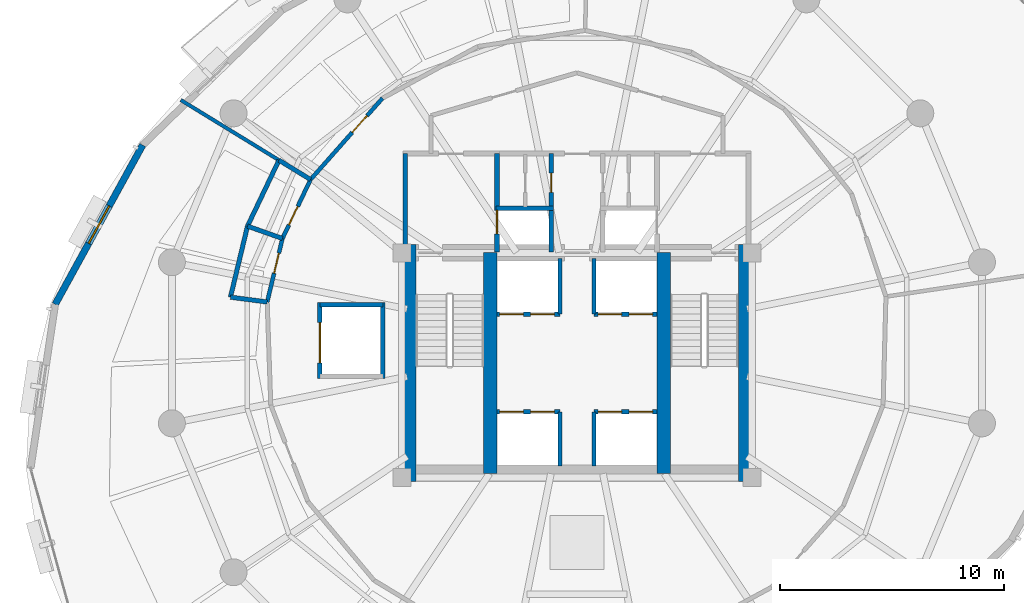
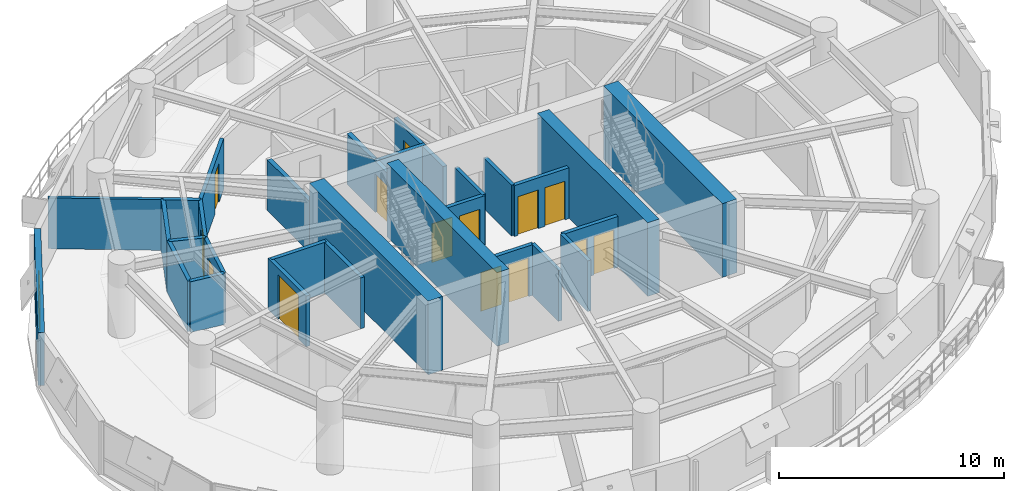
# One storey, part 8 of 12: 29 walls, 14 doors, 1 window, 15 openings.
"""IFC4 building model written with IfcOpenShell, lengths in metres."""

import ifcopenshell
import ifcopenshell.guid

model = None  # the IFC model being written
_history = None  # IfcOwnerHistory: only IFC2X3 demands one
_inside = {}  # id of a spatial element -> (the spatial element, [elements in it])
_under = {}  # id of a project, library or spatial element -> (it, [spatial elements below it])
_declared = {}  # id of a project -> (the project, [libraries it declares])
_typed = {}  # id of a type object -> (the type object, [elements of that type])
_made_of = {}  # id of a material, layer set ... -> (it, [elements and type objects made of it])


def new_model(schema):
    """Start an empty IFC model of exactly this schema.

    Asked for "IFC4X3", IfcOpenShell would pick the latest addendum, in which some entities
    have other attributes; the version numbers below select the first issue.
    IFC2X3 requires an IfcOwnerHistory on every rooted entity: one is made here for all.
    """
    global model, _history
    if schema == "IFC4X3":
        model = ifcopenshell.file(schema_version=(4, 3, 0, 0))
    else:
        model = ifcopenshell.file(schema=schema)
    _inside.clear()
    _under.clear()
    _declared.clear()
    _typed.clear()
    _made_of.clear()
    _history = None
    if model.schema == "IFC2X3":
        org = make("IfcOrganization", Name="unknown")
        user = make(
            "IfcPersonAndOrganization",
            ThePerson=make("IfcPerson", FamilyName="unknown"),
            TheOrganization=org,
        )
        app = make(
            "IfcApplication",
            ApplicationDeveloper=org,
            Version="unknown",
            ApplicationFullName="unknown",
            ApplicationIdentifier="unknown",
        )
        _history = make(
            "IfcOwnerHistory",
            OwningUser=user,
            OwningApplication=app,
            ChangeAction="ADDED",
            CreationDate=0,
        )
    return model


def make(cls, **values):
    """One entity of the class cls with the attributes given. An attribute that is None is left unset."""
    return model.create_entity(
        cls, **{name: value for name, value in values.items() if value is not None}
    )


def rooted(cls, **values):
    """An entity with a GlobalId (a new one), such as an element, a storey or a relation."""
    return make(cls, GlobalId=ifcopenshell.guid.new(), OwnerHistory=_history, **values)


def si_unit(unit_type, name, prefix=None):
    """IfcSIUnit, for example si_unit("LENGTHUNIT", "METRE", prefix="MILLI")."""
    return make("IfcSIUnit", UnitType=unit_type, Prefix=prefix, Name=name)


def assignment(units):
    """IfcUnitAssignment: the units of a project."""
    return None if units is None else make("IfcUnitAssignment", Units=units)


def point(xyz):
    """IfcCartesianPoint."""
    return None if xyz is None else make("IfcCartesianPoint", Coordinates=xyz)


def direction(xyz):
    """IfcDirection."""
    return None if xyz is None else make("IfcDirection", DirectionRatios=xyz)


def frame(location, z_axis=None, x_axis=None):
    """IfcAxis2Placement3D, a coordinate frame: its origin and axes. An axis left out is left unset."""
    return make(
        "IfcAxis2Placement3D",
        Location=point(location),
        Axis=direction(z_axis),
        RefDirection=direction(x_axis),
    )


def frame_2d(location, x_axis=None):
    """IfcAxis2Placement2D, a coordinate frame in the plane: its origin and x axis."""
    return make(
        "IfcAxis2Placement2D", Location=point(location), RefDirection=direction(x_axis)
    )


def origin():
    """The frame at (0, 0, 0) with its axes left unset."""
    return frame((0.0, 0.0, 0.0))


def place(relative_to, where):
    """IfcLocalPlacement: puts the frame where relative to a parent placement (None: the world)."""
    return make(
        "IfcLocalPlacement", PlacementRelTo=relative_to, RelativePlacement=where
    )


def context(
    kind, dimensions, precision=None, world=None, true_north=None, identifier=None
):
    """IfcGeometricRepresentationContext, for example the 3D "Model" context."""
    return make(
        "IfcGeometricRepresentationContext",
        ContextIdentifier=identifier,
        ContextType=kind,
        CoordinateSpaceDimension=dimensions,
        Precision=precision,
        WorldCoordinateSystem=world,
        TrueNorth=true_north,
    )


def subcontext(parent, identifier, kind, view, scale=None):
    """IfcGeometricRepresentationSubContext, for example "Body" below "Model"."""
    return make(
        "IfcGeometricRepresentationSubContext",
        ContextIdentifier=identifier,
        ContextType=kind,
        ParentContext=parent,
        TargetScale=scale,
        TargetView=view,
    )


def project(units=None, contexts=None):
    """IfcProject with its units and contexts."""
    return rooted(
        "IfcProject",
        Name="project",
        RepresentationContexts=contexts,
        UnitsInContext=assignment(units),
    )


def spatial(cls, under=None, at=None, **own):
    """A site, building, storey or space (cls), placed at a placement, below another one or the project."""
    s = rooted(cls, ObjectPlacement=at, **own)
    if under is not None:
        _under.setdefault(under.id(), (under, []))[1].append(s)
    return s


def profile(cls, at=None, kind="AREA", **sizes):
    """A parametric profile (cls). Its sizes go by their IFC names, for example OverallWidth=200.0."""
    return make(cls, ProfileType=kind, Position=at, **sizes)


def rectangle(**sizes):
    """IfcRectangleProfileDef."""
    return profile("IfcRectangleProfileDef", **sizes)


def extrude(swept, where, along, depth):
    """IfcExtrudedAreaSolid: the profile swept, set in the frame where, extruded along a direction by depth."""
    return make(
        "IfcExtrudedAreaSolid",
        SweptArea=swept,
        Position=where,
        ExtrudedDirection=direction(along),
        Depth=depth,
    )


def shape(context_of_items, identifier, shape_type, items):
    """IfcShapeRepresentation: the items that make up one representation, for example the "Body"."""
    return make(
        "IfcShapeRepresentation",
        ContextOfItems=context_of_items,
        RepresentationIdentifier=identifier,
        RepresentationType=shape_type,
        Items=items,
    )


def material(Name=None, Category=None):
    """IfcMaterial."""
    return make("IfcMaterial", Name=Name, Category=Category)


def layer(
    of_material, thickness, ventilated=None, Name=None, Category=None, Priority=None
):
    """IfcMaterialLayer: one layer of a wall or slab, of a material (None: an air gap)."""
    return make(
        "IfcMaterialLayer",
        Material=of_material,
        LayerThickness=thickness,
        IsVentilated=ventilated,
        Name=Name,
        Category=Category,
        Priority=Priority,
    )


def layer_set(layers, Name=None):
    """IfcMaterialLayerSet."""
    return make("IfcMaterialLayerSet", MaterialLayers=layers, LayerSetName=Name)


def made_of(thing, what):
    """Note that an element or type object is made of a material, layer set ...; save() writes the relation."""
    if what is not None:
        _made_of.setdefault(what.id(), (what, []))[1].append(thing)
    return thing


def type_object(cls, material=None, **own):
    """A type object (cls), such as IfcWallType, which elements share."""
    return made_of(rooted(cls, **own), material)


def element(
    cls,
    number,
    at=None,
    inside=None,
    cuts=None,
    type_object=None,
    material=None,
    context=None,
    identifier="Body",
    shape_type=None,
    held_by="IfcProductDefinitionShape",
    body=None,
    shapes=None,
    **own,
):
    """One element of the class cls, such as IfcWall. Its Tag is "e" and its number.

    at: its placement. inside: the storey or other place that contains it. cuts: it is an
    opening in that element (IfcRelVoidsElement). A single representation is given by context,
    identifier, shape_type and body (its items); several are given by shapes. held_by: the class
    of the entity that holds the representations. save() writes the other relations.
    """
    e = rooted(cls, Tag="e%d" % number, ObjectPlacement=at, **own)
    if body is not None:
        shapes = [shape(context, identifier, shape_type, body)]
    if shapes is not None:
        e.Representation = make(held_by, Representations=shapes)
    if inside is not None:
        _inside.setdefault(inside.id(), (inside, []))[1].append(e)
    if cuts is not None:
        rooted(
            "IfcRelVoidsElement", RelatingBuildingElement=cuts, RelatedOpeningElement=e
        )
    if type_object is not None:
        _typed.setdefault(type_object.id(), (type_object, []))[1].append(e)
    return made_of(e, material)


def fill(opening, filler):
    """IfcRelFillsElement: the door or window that sits in an opening."""
    return rooted(
        "IfcRelFillsElement",
        RelatingOpeningElement=opening,
        RelatedBuildingElement=filler,
    )


def aggregate(whole, parts):
    """IfcRelAggregates: a whole, such as a stair, and the parts it consists of."""
    return rooted("IfcRelAggregates", RelatingObject=whole, RelatedObjects=parts)


def save(model, path):
    """Write the relations noted so far, then the file.

    IfcRelAggregates (storeys below a building ...), IfcRelContainedInSpatialStructure (elements
    in a storey), IfcRelDefinesByType, IfcRelAssociatesMaterial and IfcRelDeclares: one each for
    every whole, place, type object, material and project.
    """
    for whole, parts in _under.values():
        aggregate(whole, parts)
    for where, things in _inside.values():
        rooted(
            "IfcRelContainedInSpatialStructure",
            RelatedElements=things,
            RelatingStructure=where,
        )
    for kind, things in _typed.values():
        rooted("IfcRelDefinesByType", RelatedObjects=things, RelatingType=kind)
    for what, things in _made_of.values():
        rooted("IfcRelAssociatesMaterial", RelatedObjects=things, RelatingMaterial=what)
    for by, libraries in _declared.values():
        rooted("IfcRelDeclares", RelatingContext=by, RelatedDefinitions=libraries)
    model.write(path)


model = new_model("IFC4")

# Units and contexts
model_context = context("Model", 3, precision=1e-05, world=origin(), true_north=direction((0.0, 1.0)))
body_context = subcontext(model_context, "Body", "Model", "MODEL_VIEW")
ifc_project = project(units=[si_unit("LENGTHUNIT", "METRE"), si_unit("AREAUNIT", "SQUARE_METRE"), si_unit("VOLUMEUNIT", "CUBIC_METRE"), si_unit("PLANEANGLEUNIT", "RADIAN"), si_unit("MASSUNIT", "GRAM", prefix="KILO"), si_unit("THERMODYNAMICTEMPERATUREUNIT", "KELVIN"), si_unit("POWERUNIT", "WATT")], contexts=[model_context])

# Site, building, storey
site_placement = place(None, origin())
site = spatial("IfcSite", under=ifc_project, at=site_placement, CompositionType="ELEMENT")
building_placement = place(site_placement, origin())
building = spatial("IfcBuilding", under=site, at=building_placement, Name="Ocrelia Relay Tower", CompositionType="ELEMENT")
storey_placement = place(building_placement, frame((0.0, 0.0, 153.800048828125)))
storey = spatial("IfcBuildingStorey", under=building, at=storey_placement, Name="L36", CompositionType="ELEMENT", Elevation=153.800048828125)

# Walls
ifc_material_1 = material(Name="Concrete C60/75", Category="concrete")
ifc_layer_1 = layer(ifc_material_1, 0.75, Name="Concrete C60/75")
ifc_layer_set_1 = layer_set([ifc_layer_1], Name="Concrete C60/75")
wall_type_1 = type_object("IfcWallType", Name="CW-CORE-750", PredefinedType="SHEAR", material=ifc_layer_set_1)
for number, where, z_axis, x_axis, name in (
    (1, (26.447021484375, 19.81201171875, 0.0), (0.0, 0.0, 1.0), (0.0, 1.0, 0.0), "L36 Core Shear Wall W"),
    (2, (41.56298828125, 19.81201171875, 0.0), (0.0, 0.0, 1.0), (0.0, 1.0, 0.0), "L36 Core Shear Wall E"),
):
    element("IfcWall", number, at=place(storey_placement, frame(where, z_axis=z_axis, x_axis=x_axis)), inside=storey, type_object=wall_type_1, Name=name, PredefinedType="SHEAR", context=body_context, shape_type="SweptSolid", body=[
        extrude(rectangle(XDim=10.575927734375, YDim=0.75, at=frame_2d((5.2880859375, 0.0))), origin(), (0.0, 0.0, 1.0), 4.0),
    ])
for number, where, z_axis, x_axis, name in (
    (3, (30.137939453125, 20.18701171875, 0.0), (0.0, 0.0, 1.0), (0.0, 1.0, 0.0), "L36 Core Shear Wall SPW"),
    (4, (37.8720703125, 20.18701171875, 0.0), (0.0, 0.0, 1.0), (0.0, 1.0, 0.0), "L36 Core Shear Wall SPE"),
):
    element("IfcWall", number, at=place(storey_placement, frame(where, z_axis=z_axis, x_axis=x_axis)), inside=storey, type_object=wall_type_1, Name=name, PredefinedType="SHEAR", context=body_context, shape_type="SweptSolid", body=[
        extrude(rectangle(XDim=9.825927734375, YDim=0.60009765625, at=frame_2d((4.9130859375, 0.0))), origin(), (0.0, 0.0, 1.0), 4.0),
    ])

# Wall, opening, door
ifc_material_2 = material(Name="Gypsum Fireboard Partition EI60", Category="gypsum")
ifc_layer_2 = layer(ifc_material_2, 0.179931640625, Name="Gypsum Fireboard Partition EI60")
ifc_layer_set_2 = layer_set([ifc_layer_2], Name="Gypsum Fireboard Partition EI60")
wall_type_2 = type_object("IfcWallType", Name="W-CORR-EI60-180", PredefinedType="PARTITIONING", material=ifc_layer_set_2)
wall_1_placement = place(storey_placement, frame((22.131103515625, 33.273193359375, 0.0), z_axis=(0.0, 0.0, 1.0), x_axis=(-0.43045780382, -0.90261070187, 0.0)))
wall_1 = element("IfcWall", 5, at=wall_1_placement, inside=storey, type_object=wall_type_2, Name="L36 Staff Toilet Corridor Wall", PredefinedType="PARTITIONING", context=body_context, shape_type="SweptSolid", body=[
    extrude(rectangle(XDim=2.91015625, YDim=0.179931640625, at=frame_2d((1.455078125, 0.0))), origin(), (0.0, 0.0, 1.0), 2.760009765625),
])
opening_1_placement = place(wall_1_placement, frame((1.321044921875, 0.0, 0.0)))
opening_1 = element("IfcOpeningElement", 6, at=opening_1_placement, cuts=wall_1, Name="Opening D-WC92", PredefinedType="OPENING", context=body_context, shape_type="SweptSolid", body=[
    extrude(rectangle(XDim=0.919921875, YDim=2.10009765625, at=frame_2d((0.4599609375, 1.050048828125))), frame((0.0, 0.10009765625, 0.0), z_axis=(0.0, -1.0, 0.0), x_axis=(1.0, 0.0, 0.0)), (0.0, 0.0, 1.0), 0.199951171875),
])
ifc_material_3 = material(Name="Laminate washroom door", Category="wood")
door_type_1 = type_object("IfcDoorType", Name="DR-WC-920", OperationType="NOTDEFINED", PredefinedType="DOOR", material=ifc_material_3)
door_1_placement = place(opening_1_placement, origin())
door_1 = element("IfcDoor", 7, at=door_1_placement, inside=storey, type_object=door_type_1, Name="L36 Staff Toilet Door", OperationType="SINGLE_SWING_RIGHT", OverallHeight=2.10009765625, OverallWidth=0.919921875, PredefinedType="DOOR", context=body_context, shape_type="SweptSolid", body=[
    extrude(rectangle(XDim=0.919921875, YDim=2.10009765625, at=frame_2d((0.4599609375, 1.050048828125))), frame((0.0, 0.02490234375, 0.0), z_axis=(0.0, -1.0, 0.0), x_axis=(1.0, 0.0, 0.0)), (0.0, 0.0, 1.0), 0.050048828125),
])
fill(opening_1, door_1)

wall_2_placement = place(storey_placement, frame((20.87841796875, 30.646484375, 0.0), z_axis=(0.0, 0.0, 1.0), x_axis=(-0.233404683879, -0.972379685896, 0.0)))
wall_2 = element("IfcWall", 8, at=wall_2_placement, inside=storey, type_object=wall_type_2, Name="L36 Accessible Toilet Corridor Wall", PredefinedType="PARTITIONING", context=body_context, shape_type="SweptSolid", body=[
    extrude(rectangle(XDim=2.909912109375, YDim=0.179931640625, at=frame_2d((1.455078125, 0.0))), origin(), (0.0, 0.0, 1.0), 2.760009765625),
])
opening_2_placement = place(wall_2_placement, frame((0.6689453125, 0.0, 0.0)))
opening_2 = element("IfcOpeningElement", 9, at=opening_2_placement, cuts=wall_2, Name="Opening D-WC92", PredefinedType="OPENING", context=body_context, shape_type="SweptSolid", body=[
    extrude(rectangle(XDim=0.919921875, YDim=2.10009765625, at=frame_2d((0.4599609375, 1.050048828125))), frame((0.0, 0.10009765625, 0.0), z_axis=(0.0, -1.0, 0.0), x_axis=(1.0, 0.0, 0.0)), (0.0, 0.0, 1.0), 0.199951171875),
])
door_2_placement = place(opening_2_placement, origin())
door_2 = element("IfcDoor", 10, at=door_2_placement, inside=storey, type_object=door_type_1, Name="L36 Accessible Toilet Door", OperationType="SINGLE_SWING_LEFT", OverallHeight=2.10009765625, OverallWidth=0.919921875, PredefinedType="DOOR", context=body_context, shape_type="SweptSolid", body=[
    extrude(rectangle(XDim=0.919921875, YDim=2.10009765625, at=frame_2d((0.4599609375, 1.050048828125))), frame((0.0, 0.02490234375, 0.0), z_axis=(0.0, -1.0, 0.0), x_axis=(1.0, 0.0, 0.0)), (0.0, 0.0, 1.0), 0.050048828125),
])
fill(opening_2, door_2)

wall_3_placement = place(storey_placement, frame((25.334716796875, 36.893798828125, 0.0), z_axis=(0.0, 0.0, 1.0), x_axis=(-0.662663227166, -0.748917517061, 0.0)))
wall_3 = element("IfcWall", 11, at=wall_3_placement, inside=storey, type_object=wall_type_2, Name="L36 Sky Observation Lounge Corridor Partition 3", PredefinedType="PARTITIONING", context=body_context, shape_type="SweptSolid", body=[
    extrude(rectangle(XDim=4.83447265625, YDim=0.179931640625, at=frame_2d((2.417236328125, 0.0))), origin(), (0.0, 0.0, 1.0), 2.760009765625),
])
opening_3_placement = place(wall_3_placement, frame((1.03369140625, 0.0, 0.0)))
opening_3 = element("IfcOpeningElement", 12, at=opening_3_placement, cuts=wall_3, Name="Opening D-RM100", PredefinedType="OPENING", context=body_context, shape_type="SweptSolid", body=[
    extrude(rectangle(XDim=1.0, YDim=2.14990234375, at=frame_2d((0.5, 1.074951171875))), frame((0.0, 0.10009765625, 0.0), z_axis=(0.0, -1.0, 0.0), x_axis=(1.0, 0.0, 0.0)), (0.0, 0.0, 1.0), 0.199951171875),
])
ifc_material_4 = material(Name="Acoustic oak veneer fire door", Category="wood")
door_type_2 = type_object("IfcDoorType", Name="DR-ROOM-FD60-1000", OperationType="NOTDEFINED", PredefinedType="DOOR", material=ifc_material_4)
door_3_placement = place(opening_3_placement, origin())
door_3 = element("IfcDoor", 13, at=door_3_placement, inside=storey, type_object=door_type_2, Name="L36 Sky Observation Lounge Entrance Door", OperationType="SINGLE_SWING_LEFT", OverallHeight=2.14990234375, OverallWidth=1.0, PredefinedType="DOOR", context=body_context, shape_type="SweptSolid", body=[
    extrude(rectangle(XDim=1.0, YDim=2.14990234375, at=frame_2d((0.5, 1.074951171875))), frame((0.0, 0.02490234375, 0.0), z_axis=(0.0, -1.0, 0.0), x_axis=(1.0, 0.0, 0.0)), (0.0, 0.0, 1.0), 0.050048828125),
])
fill(opening_3, door_3)

# Wall, opening, window
ifc_material_5 = material(Name="Precast concrete C40/50 with oxide terracotta", Category="masonry")
ifc_layer_3 = layer(ifc_material_5, 0.300048828125, Name="Precast concrete C40/50 with oxide terracotta")
ifc_layer_set_3 = layer_set([ifc_layer_3], Name="Precast concrete C40/50 with oxide terracotta")
wall_type_3 = type_object("IfcWallType", Name="W-EXT-TERR-300", PredefinedType="SOLIDWALL", material=ifc_layer_set_3)
wall_4_placement = place(storey_placement, frame((14.65185546875, 34.8095703125, 0.0), z_axis=(0.0, 0.0, 1.0), x_axis=(-0.481489171482, -0.876452039615, 0.0)))
wall_4 = element("IfcWall", 14, at=wall_4_placement, inside=storey, type_object=wall_type_3, Name="L36 Oxide Terracotta Facade Wall 07", PredefinedType="SOLIDWALL", context=body_context, shape_type="SweptSolid", body=[
    extrude(rectangle(XDim=8.09521484375, YDim=0.300048828125, at=frame_2d((4.047607421875, 0.0))), origin(), (0.0, 0.0, 1.0), 2.85986328125),
])
opening_4_placement = place(wall_4_placement, frame((3.097900390625, 0.0, 0.800048828125)))
opening_4 = element("IfcOpeningElement", 15, at=opening_4_placement, cuts=wall_4, Name="Opening W-06", PredefinedType="OPENING", context=body_context, shape_type="SweptSolid", body=[
    extrude(rectangle(XDim=1.89990234375, YDim=1.949951171875, at=frame_2d((0.949951171875, 0.97509765625))), frame((0.0, 0.16015625, 0.0), z_axis=(0.0, -1.0, 0.0), x_axis=(1.0, 0.0, 0.0)), (0.0, 0.0, 1.0), 0.320068359375),
])
ifc_material_6 = material(Name="Clear double-glazed low-E glass", Category="glass")
window_type = type_object("IfcWindowType", Name="WIN-Z2-1900x2100", PartitioningType="DOUBLE_PANEL_VERTICAL", PredefinedType="WINDOW", material=ifc_material_6)
window_placement = place(opening_4_placement, origin())
window = element("IfcWindow", 16, at=window_placement, inside=storey, type_object=window_type, Name="L36 Facade Module Window 07", OverallHeight=1.949951171875, OverallWidth=1.89990234375, PartitioningType="SINGLE_PANEL", PredefinedType="WINDOW", context=body_context, shape_type="SweptSolid", body=[
    extrude(rectangle(XDim=1.89990234375, YDim=1.949951171875, at=frame_2d((0.949951171875, 0.97509765625))), frame((0.0, 0.030029296875, 0.0), z_axis=(0.0, -1.0, 0.0), x_axis=(1.0, 0.0, 0.0)), (0.0, 0.0, 1.0), 0.06005859375),
])
fill(opening_4, window)

# Wall
ifc_material_7 = material(Name="Concrete C50/60", Category="concrete")
ifc_layer_4 = layer(ifc_material_7, 0.219970703125, Name="Concrete C50/60")
ifc_layer_set_4 = layer_set([ifc_layer_4], Name="Concrete C50/60")
wall_type_4 = type_object("IfcWallType", Name="W-FFL-EI120-220", PredefinedType="SOLIDWALL", material=ifc_layer_set_4)
wall_5_placement = place(storey_placement, frame((26.35009765625, 30.050048828125, 0.0), z_axis=(0.0, 0.0, 1.0), x_axis=(0.0, 1.0, 0.0)))
element("IfcWall", 17, at=wall_5_placement, inside=storey, type_object=wall_type_4, Name="L36 W Fire Service Lift Lobby West Wall", PredefinedType="SOLIDWALL", context=body_context, shape_type="SweptSolid", body=[
    extrude(rectangle(XDim=4.3798828125, YDim=0.219970703125, at=frame_2d((2.18994140625, 0.0))), origin(), (0.0, 0.0, 1.0), 2.760009765625),
])

# Wall, opening, door
wall_6_placement = place(storey_placement, frame((30.43994140625, 30.050048828125, 0.0), z_axis=(0.0, 0.0, 1.0), x_axis=(0.0, 1.0, 0.0)))
wall_6 = element("IfcWall", 18, at=wall_6_placement, inside=storey, type_object=wall_type_4, Name="L36 W Fire Service Lift Lobby East Wall", PredefinedType="SOLIDWALL", context=body_context, shape_type="SweptSolid", body=[
    extrude(rectangle(XDim=4.3798828125, YDim=0.219970703125, at=frame_2d((2.18994140625, 0.0))), origin(), (0.0, 0.0, 1.0), 2.760009765625),
])
opening_5_placement = place(wall_6_placement, frame((0.800048828125, 0.0, 0.0)))
opening_5 = element("IfcOpeningElement", 19, at=opening_5_placement, cuts=wall_6, Name="Opening LD-FFL1", PredefinedType="OPENING", context=body_context, shape_type="SweptSolid", body=[
    extrude(rectangle(XDim=1.050048828125, YDim=2.10009765625, at=frame_2d((0.52490234375, 1.050048828125))), frame((0.0, 0.1201171875, 0.0), z_axis=(0.0, -1.0, 0.0), x_axis=(1.0, 0.0, 0.0)), (0.0, 0.0, 1.0), 0.239990234375),
])
ifc_material_8 = material(Name="Brushed stainless steel S355 lift landing door", Category="steel")
door_type_3 = type_object("IfcDoorType", Name="DR-LIFT-LAND-1050", OperationType="DOUBLE_DOOR_SLIDING", PredefinedType="USERDEFINED", material=ifc_material_8)
door_4_placement = place(opening_5_placement, origin())
door_4 = element("IfcDoor", 20, at=door_4_placement, inside=storey, type_object=door_type_3, Name="L36 Firefighting Lift FFL1 Sliding Landing Door", ObjectType="LANDING DOOR", OperationType="DOUBLE_DOOR_SLIDING", OverallHeight=2.10009765625, OverallWidth=1.050048828125, PredefinedType="USERDEFINED", context=body_context, shape_type="SweptSolid", body=[
    extrude(rectangle(XDim=1.050048828125, YDim=2.10009765625, at=frame_2d((0.52490234375, 1.050048828125))), frame((0.0, 0.02490234375, 0.0), z_axis=(0.0, -1.0, 0.0), x_axis=(1.0, 0.0, 0.0)), (0.0, 0.0, 1.0), 0.050048828125),
])
fill(opening_5, door_4)

# Walls
ifc_material_9 = material(Name="Acoustic Fireboard Partition EI60", Category="gypsum")
ifc_layer_5 = layer(ifc_material_9, 0.159912109375, Name="Acoustic Fireboard Partition EI60")
ifc_layer_set_5 = layer_set([ifc_layer_5], Name="Acoustic Fireboard Partition EI60")
wall_type_5 = type_object("IfcWallType", Name="W-PART-160", PredefinedType="PARTITIONING", material=ifc_layer_set_5)
wall_7_placement = place(storey_placement, frame((20.724365234375, 34.13525390625, 0.0), z_axis=(0.0, 0.0, 1.0), x_axis=(-0.852638869346, 0.522500677972, 0.0)))
element("IfcWall", 21, at=wall_7_placement, inside=storey, type_object=wall_type_5, Name="L36 Operations Control Office Radial Partition", PredefinedType="PARTITIONING", context=body_context, shape_type="SweptSolid", body=[
    extrude(rectangle(XDim=5.1298828125, YDim=0.159912109375, at=frame_2d((2.56494140625, 0.0))), origin(), (0.0, 0.0, 1.0), 2.760009765625),
])
ifc_material_10 = material(Name="Moisture-Resistant Fireboard Chase Wall EI60", Category="gypsum")
ifc_layer_6 = layer(ifc_material_10, 0.199951171875, Name="Moisture-Resistant Fireboard Chase Wall EI60")
ifc_layer_set_6 = layer_set([ifc_layer_6], Name="Moisture-Resistant Fireboard Chase Wall EI60")
wall_type_6 = type_object("IfcWallType", Name="W-PLUMB-200", PredefinedType="PLUMBINGWALL", material=ifc_layer_set_6)
wall_8_placement = place(storey_placement, frame((22.131103515625, 33.273193359375, 0.0), z_axis=(0.0, 0.0, 1.0), x_axis=(-0.852637404857, 0.52250306778, 0.0)))
element("IfcWall", 22, at=wall_8_placement, inside=storey, type_object=wall_type_6, Name="L36 Staff Toilet Plumbing Radial Wall", PredefinedType="PLUMBINGWALL", context=body_context, shape_type="SweptSolid", body=[
    extrude(rectangle(XDim=1.64990234375, YDim=0.199951171875, at=frame_2d((0.824951171875, 0.0))), origin(), (0.0, 0.0, 1.0), 2.760009765625),
])
wall_9_placement = place(storey_placement, frame((20.87841796875, 30.646484375, 0.0), z_axis=(0.0, 0.0, 1.0), x_axis=(-0.942599092198, 0.33392656586, 0.0)))
element("IfcWall", 23, at=wall_9_placement, inside=storey, type_object=wall_type_6, Name="L36 Staff Toilet Plumbing Radial Wall", PredefinedType="PLUMBINGWALL", context=body_context, shape_type="SweptSolid", body=[
    extrude(rectangle(XDim=1.650146484375, YDim=0.199951171875, at=frame_2d((0.8251953125, 0.0))), origin(), (0.0, 0.0, 1.0), 2.760009765625),
])
wall_10_placement = place(storey_placement, frame((20.724365234375, 34.13525390625, 0.0), z_axis=(0.0, 0.0, 1.0), x_axis=(-0.430544913424, -0.902569153874, 0.0)))
element("IfcWall", 24, at=wall_10_placement, inside=storey, type_object=wall_type_6, Name="L36 Staff Toilet Back Plumbing Wall", PredefinedType="PLUMBINGWALL", context=body_context, shape_type="SweptSolid", body=[
    extrude(rectangle(XDim=3.2548828125, YDim=0.199951171875, at=frame_2d((1.62744140625, 0.0))), origin(), (0.0, 0.0, 1.0), 2.760009765625),
])
wall_11_placement = place(storey_placement, frame((20.19921875, 27.81689453125, 0.0), z_axis=(0.0, 0.0, 1.0), x_axis=(-0.991448755136, 0.130496612749, 0.0)))
element("IfcWall", 25, at=wall_11_placement, inside=storey, type_object=wall_type_6, Name="L36 Accessible Toilet Plumbing Radial Wall", PredefinedType="PLUMBINGWALL", context=body_context, shape_type="SweptSolid", body=[
    extrude(rectangle(XDim=1.650146484375, YDim=0.199951171875, at=frame_2d((0.8251953125, 0.0))), origin(), (0.0, 0.0, 1.0), 2.760009765625),
])
wall_12_placement = place(storey_placement, frame((19.322998046875, 31.197509765625, 0.0), z_axis=(0.0, 0.0, 1.0), x_axis=(-0.233401318648, -0.972380493661, 0.0)))
element("IfcWall", 26, at=wall_12_placement, inside=storey, type_object=wall_type_6, Name="L36 Accessible Toilet Back Plumbing Wall", PredefinedType="PLUMBINGWALL", context=body_context, shape_type="SweptSolid", body=[
    extrude(rectangle(XDim=3.255126953125, YDim=0.199951171875, at=frame_2d((1.62744140625, 0.0))), origin(), (0.0, 0.0, 1.0), 2.760009765625),
])
ifc_layer_7 = layer(ifc_material_7, 0.199951171875, Name="Concrete C50/60")
ifc_layer_set_7 = layer_set([ifc_layer_7], Name="Concrete C50/60")
wall_type_7 = type_object("IfcWallType", Name="W-SHAFT-EI120-200", PredefinedType="SOLIDWALL", material=ifc_layer_set_7)
wall_13_placement = place(storey_placement, frame((30.39990234375, 32.0, 0.0), z_axis=(0.0, 0.0, 1.0), x_axis=(1.0, 0.0, 0.0)))
element("IfcWall", 27, at=wall_13_placement, inside=storey, type_object=wall_type_7, Name="L36 FFL1 Hoistway North Wall", PredefinedType="SOLIDWALL", context=body_context, shape_type="SweptSolid", body=[
    extrude(rectangle(XDim=2.550048828125, YDim=0.199951171875, at=frame_2d((1.27490234375, 0.0))), origin(), (0.0, 0.0, 1.0), 2.760009765625),
])

# Wall, opening, door
wall_14_placement = place(storey_placement, frame((32.85009765625, 30.050048828125, 0.0), z_axis=(0.0, 0.0, 1.0), x_axis=(0.0, 1.0, 0.0)))
wall_14 = element("IfcWall", 28, at=wall_14_placement, inside=storey, type_object=wall_type_7, Name="L36 FFL1 and Service Vestibule Wall", PredefinedType="SOLIDWALL", context=body_context, shape_type="SweptSolid", body=[
    extrude(rectangle(XDim=4.3798828125, YDim=0.199951171875, at=frame_2d((2.18994140625, 0.0))), origin(), (0.0, 0.0, 1.0), 2.760009765625),
])
opening_6_placement = place(wall_14_placement, frame((2.64990234375, 0.0, 0.0)))
opening_6 = element("IfcOpeningElement", 29, at=opening_6_placement, cuts=wall_14, Name="Opening D-RS86", PredefinedType="OPENING", context=body_context, shape_type="SweptSolid", body=[
    extrude(rectangle(XDim=0.860107421875, YDim=2.050048828125, at=frame_2d((0.43017578125, 1.02490234375))), frame((0.0, 0.10986328125, 0.0), z_axis=(0.0, -1.0, 0.0), x_axis=(1.0, 0.0, 0.0)), (0.0, 0.0, 1.0), 0.219970703125),
])
ifc_material_11 = material(Name="Steel S355 riser access fire door", Category="steel")
door_type_4 = type_object("IfcDoorType", Name="DR-RISER-TRAP-860", OperationType="NOTDEFINED", PredefinedType="TRAPDOOR", material=ifc_material_11)
door_5_placement = place(opening_6_placement, origin())
door_5 = element("IfcDoor", 30, at=door_5_placement, inside=storey, type_object=door_type_4, Name="L36 Core Support Room W Door", OperationType="SINGLE_SWING_RIGHT", OverallHeight=2.050048828125, OverallWidth=0.860107421875, PredefinedType="TRAPDOOR", context=body_context, shape_type="SweptSolid", body=[
    extrude(rectangle(XDim=0.860107421875, YDim=2.050048828125, at=frame_2d((0.43017578125, 1.02490234375))), frame((0.0, 0.02490234375, 0.0), z_axis=(0.0, -1.0, 0.0), x_axis=(1.0, 0.0, 0.0)), (0.0, 0.0, 1.0), 0.050048828125),
])
fill(opening_6, door_5)

# Wall, openings, doors
wall_15_placement = place(storey_placement, frame((30.43994140625, 22.919921875, 0.0), z_axis=(0.0, 0.0, 1.0), x_axis=(1.0, 0.0, 0.0)))
wall_15 = element("IfcWall", 31, at=wall_15_placement, inside=storey, type_object=wall_type_7, Name="L36 Low-Rise Lift Hoistway Wall W", PredefinedType="SOLIDWALL", context=body_context, shape_type="SweptSolid", body=[
    extrude(rectangle(XDim=2.81005859375, YDim=0.199951171875, at=frame_2d((1.405029296875, 0.0))), origin(), (0.0, 0.0, 1.0), 2.760009765625),
])
opening_7_placement = place(wall_15_placement, frame((0.1201171875, 0.0, 0.0)))
opening_7 = element("IfcOpeningElement", 32, at=opening_7_placement, cuts=wall_15, Name="Opening LD-PL1", PredefinedType="OPENING", context=body_context, shape_type="SweptSolid", body=[
    extrude(rectangle(XDim=1.050048828125, YDim=2.10009765625, at=frame_2d((0.52490234375, 1.050048828125))), frame((0.0, 0.10986328125, 0.0), z_axis=(0.0, -1.0, 0.0), x_axis=(1.0, 0.0, 0.0)), (0.0, 0.0, 1.0), 0.219970703125),
])
opening_8_placement = place(wall_15_placement, frame((1.5, 0.0, 0.0)))
opening_8 = element("IfcOpeningElement", 33, at=opening_8_placement, cuts=wall_15, Name="Opening LD-PL2", PredefinedType="OPENING", context=body_context, shape_type="SweptSolid", body=[
    extrude(rectangle(XDim=1.050048828125, YDim=2.10009765625, at=frame_2d((0.52490234375, 1.050048828125))), frame((0.0, 0.10986328125, 0.0), z_axis=(0.0, -1.0, 0.0), x_axis=(1.0, 0.0, 0.0)), (0.0, 0.0, 1.0), 0.219970703125),
])
door_6_placement = place(opening_7_placement, origin())
door_6 = element("IfcDoor", 34, at=door_6_placement, inside=storey, type_object=door_type_3, Name="L36 Passenger Lift PL1 Sliding Landing Door", ObjectType="LANDING DOOR", OperationType="DOUBLE_DOOR_SLIDING", OverallHeight=2.10009765625, OverallWidth=1.050048828125, PredefinedType="USERDEFINED", context=body_context, shape_type="SweptSolid", body=[
    extrude(rectangle(XDim=1.050048828125, YDim=2.10009765625, at=frame_2d((0.52490234375, 1.050048828125))), frame((0.0, 0.02490234375, 0.0), z_axis=(0.0, -1.0, 0.0), x_axis=(1.0, 0.0, 0.0)), (0.0, 0.0, 1.0), 0.050048828125),
])
fill(opening_7, door_6)
door_7_placement = place(opening_8_placement, origin())
door_7 = element("IfcDoor", 35, at=door_7_placement, inside=storey, type_object=door_type_3, Name="L36 Passenger Lift PL2 Sliding Landing Door", ObjectType="LANDING DOOR", OperationType="DOUBLE_DOOR_SLIDING", OverallHeight=2.10009765625, OverallWidth=1.050048828125, PredefinedType="USERDEFINED", context=body_context, shape_type="SweptSolid", body=[
    extrude(rectangle(XDim=1.050048828125, YDim=2.10009765625, at=frame_2d((0.52490234375, 1.050048828125))), frame((0.0, 0.02490234375, 0.0), z_axis=(0.0, -1.0, 0.0), x_axis=(1.0, 0.0, 0.0)), (0.0, 0.0, 1.0), 0.050048828125),
])
fill(opening_8, door_7)

# Wall
wall_16_placement = place(storey_placement, frame((33.25, 20.5, 0.0), z_axis=(0.0, 0.0, 1.0), x_axis=(0.0, 1.0, 0.0)))
element("IfcWall", 36, at=wall_16_placement, inside=storey, type_object=wall_type_7, Name="L36 Low-Rise Lift Throat Wall W", PredefinedType="SOLIDWALL", context=body_context, shape_type="SweptSolid", body=[
    extrude(rectangle(XDim=2.419921875, YDim=0.179931640625, at=frame_2d((1.2099609375, 0.0))), origin(), (0.0, 0.0, 1.0), 2.760009765625),
])

# Wall, openings, doors
wall_17_placement = place(storey_placement, frame((34.75, 22.919921875, 0.0), z_axis=(0.0, 0.0, 1.0), x_axis=(1.0, 0.0, 0.0)))
wall_17 = element("IfcWall", 37, at=wall_17_placement, inside=storey, type_object=wall_type_7, Name="L36 Low-Rise Lift Hoistway Wall E", PredefinedType="SOLIDWALL", context=body_context, shape_type="SweptSolid", body=[
    extrude(rectangle(XDim=2.81005859375, YDim=0.199951171875, at=frame_2d((1.405029296875, 0.0))), origin(), (0.0, 0.0, 1.0), 2.760009765625),
])
opening_9_placement = place(wall_17_placement, frame((0.18994140625, 0.0, 0.0)))
opening_9 = element("IfcOpeningElement", 38, at=opening_9_placement, cuts=wall_17, Name="Opening LD-PL3", PredefinedType="OPENING", context=body_context, shape_type="SweptSolid", body=[
    extrude(rectangle(XDim=1.050048828125, YDim=2.10009765625, at=frame_2d((0.52490234375, 1.050048828125))), frame((0.0, 0.10986328125, 0.0), z_axis=(0.0, -1.0, 0.0), x_axis=(1.0, 0.0, 0.0)), (0.0, 0.0, 1.0), 0.219970703125),
])
opening_10_placement = place(wall_17_placement, frame((1.570068359375, 0.0, 0.0)))
opening_10 = element("IfcOpeningElement", 39, at=opening_10_placement, cuts=wall_17, Name="Opening LD-PL4", PredefinedType="OPENING", context=body_context, shape_type="SweptSolid", body=[
    extrude(rectangle(XDim=1.050048828125, YDim=2.10009765625, at=frame_2d((0.52490234375, 1.050048828125))), frame((0.0, 0.10986328125, 0.0), z_axis=(0.0, -1.0, 0.0), x_axis=(1.0, 0.0, 0.0)), (0.0, 0.0, 1.0), 0.219970703125),
])
door_8_placement = place(opening_9_placement, origin())
door_8 = element("IfcDoor", 40, at=door_8_placement, inside=storey, type_object=door_type_3, Name="L36 Passenger Lift PL3 Sliding Landing Door", ObjectType="LANDING DOOR", OperationType="DOUBLE_DOOR_SLIDING", OverallHeight=2.10009765625, OverallWidth=1.050048828125, PredefinedType="USERDEFINED", context=body_context, shape_type="SweptSolid", body=[
    extrude(rectangle(XDim=1.050048828125, YDim=2.10009765625, at=frame_2d((0.52490234375, 1.050048828125))), frame((0.0, 0.02490234375, 0.0), z_axis=(0.0, -1.0, 0.0), x_axis=(1.0, 0.0, 0.0)), (0.0, 0.0, 1.0), 0.050048828125),
])
fill(opening_9, door_8)
door_9_placement = place(opening_10_placement, origin())
door_9 = element("IfcDoor", 41, at=door_9_placement, inside=storey, type_object=door_type_3, Name="L36 Passenger Lift PL4 Sliding Landing Door", ObjectType="LANDING DOOR", OperationType="DOUBLE_DOOR_SLIDING", OverallHeight=2.10009765625, OverallWidth=1.050048828125, PredefinedType="USERDEFINED", context=body_context, shape_type="SweptSolid", body=[
    extrude(rectangle(XDim=1.050048828125, YDim=2.10009765625, at=frame_2d((0.52490234375, 1.050048828125))), frame((0.0, 0.02490234375, 0.0), z_axis=(0.0, -1.0, 0.0), x_axis=(1.0, 0.0, 0.0)), (0.0, 0.0, 1.0), 0.050048828125),
])
fill(opening_10, door_9)

# Wall
wall_18_placement = place(storey_placement, frame((34.75, 20.5, 0.0), z_axis=(0.0, 0.0, 1.0), x_axis=(0.0, 1.0, 0.0)))
element("IfcWall", 42, at=wall_18_placement, inside=storey, type_object=wall_type_7, Name="L36 Low-Rise Lift Throat Wall E", PredefinedType="SOLIDWALL", context=body_context, shape_type="SweptSolid", body=[
    extrude(rectangle(XDim=2.419921875, YDim=0.179931640625, at=frame_2d((1.2099609375, 0.0))), origin(), (0.0, 0.0, 1.0), 2.760009765625),
])

# Wall, openings, doors
wall_19_placement = place(storey_placement, frame((30.43994140625, 27.280029296875, 0.0), z_axis=(0.0, 0.0, 1.0), x_axis=(1.0, 0.0, 0.0)))
wall_19 = element("IfcWall", 43, at=wall_19_placement, inside=storey, type_object=wall_type_7, Name="L36 High-Rise Lift Hoistway Wall W", PredefinedType="SOLIDWALL", context=body_context, shape_type="SweptSolid", body=[
    extrude(rectangle(XDim=2.81005859375, YDim=0.199951171875, at=frame_2d((1.405029296875, 0.0))), origin(), (0.0, 0.0, 1.0), 2.760009765625),
])
opening_11_placement = place(wall_19_placement, frame((0.1201171875, 0.0, 0.0)))
opening_11 = element("IfcOpeningElement", 44, at=opening_11_placement, cuts=wall_19, Name="Opening LD-PL5", PredefinedType="OPENING", context=body_context, shape_type="SweptSolid", body=[
    extrude(rectangle(XDim=1.050048828125, YDim=2.10009765625, at=frame_2d((0.52490234375, 1.050048828125))), frame((0.0, 0.10986328125, 0.0), z_axis=(0.0, -1.0, 0.0), x_axis=(1.0, 0.0, 0.0)), (0.0, 0.0, 1.0), 0.219970703125),
])
opening_12_placement = place(wall_19_placement, frame((1.5, 0.0, 0.0)))
opening_12 = element("IfcOpeningElement", 45, at=opening_12_placement, cuts=wall_19, Name="Opening LD-PL6", PredefinedType="OPENING", context=body_context, shape_type="SweptSolid", body=[
    extrude(rectangle(XDim=1.050048828125, YDim=2.10009765625, at=frame_2d((0.52490234375, 1.050048828125))), frame((0.0, 0.10986328125, 0.0), z_axis=(0.0, -1.0, 0.0), x_axis=(1.0, 0.0, 0.0)), (0.0, 0.0, 1.0), 0.219970703125),
])
door_10_placement = place(opening_11_placement, origin())
door_10 = element("IfcDoor", 46, at=door_10_placement, inside=storey, type_object=door_type_3, Name="L36 High-Rise Lift PL5 Sliding Landing Door", ObjectType="LANDING DOOR", OperationType="DOUBLE_DOOR_SLIDING", OverallHeight=2.10009765625, OverallWidth=1.050048828125, PredefinedType="USERDEFINED", context=body_context, shape_type="SweptSolid", body=[
    extrude(rectangle(XDim=1.050048828125, YDim=2.10009765625, at=frame_2d((0.52490234375, 1.050048828125))), frame((0.0, 0.02490234375, 0.0), z_axis=(0.0, -1.0, 0.0), x_axis=(1.0, 0.0, 0.0)), (0.0, 0.0, 1.0), 0.050048828125),
])
fill(opening_11, door_10)
door_11_placement = place(opening_12_placement, origin())
door_11 = element("IfcDoor", 47, at=door_11_placement, inside=storey, type_object=door_type_3, Name="L36 High-Rise Lift PL6 Sliding Landing Door", ObjectType="LANDING DOOR", OperationType="DOUBLE_DOOR_SLIDING", OverallHeight=2.10009765625, OverallWidth=1.050048828125, PredefinedType="USERDEFINED", context=body_context, shape_type="SweptSolid", body=[
    extrude(rectangle(XDim=1.050048828125, YDim=2.10009765625, at=frame_2d((0.52490234375, 1.050048828125))), frame((0.0, 0.02490234375, 0.0), z_axis=(0.0, -1.0, 0.0), x_axis=(1.0, 0.0, 0.0)), (0.0, 0.0, 1.0), 0.050048828125),
])
fill(opening_12, door_11)

# Wall
wall_20_placement = place(storey_placement, frame((33.25, 27.280029296875, 0.0), z_axis=(0.0, 0.0, 1.0), x_axis=(0.0, 1.0, 0.0)))
element("IfcWall", 48, at=wall_20_placement, inside=storey, type_object=wall_type_7, Name="L36 High-Rise Lift Throat Wall W", PredefinedType="SOLIDWALL", context=body_context, shape_type="SweptSolid", body=[
    extrude(rectangle(XDim=2.469970703125, YDim=0.179931640625, at=frame_2d((1.23486328125, 0.0))), origin(), (0.0, 0.0, 1.0), 2.760009765625),
])

# Wall, openings, doors
wall_21_placement = place(storey_placement, frame((34.75, 27.280029296875, 0.0), z_axis=(0.0, 0.0, 1.0), x_axis=(1.0, 0.0, 0.0)))
wall_21 = element("IfcWall", 49, at=wall_21_placement, inside=storey, type_object=wall_type_7, Name="L36 High-Rise Lift Hoistway Wall E", PredefinedType="SOLIDWALL", context=body_context, shape_type="SweptSolid", body=[
    extrude(rectangle(XDim=2.81005859375, YDim=0.199951171875, at=frame_2d((1.405029296875, 0.0))), origin(), (0.0, 0.0, 1.0), 2.760009765625),
])
opening_13_placement = place(wall_21_placement, frame((0.18994140625, 0.0, 0.0)))
opening_13 = element("IfcOpeningElement", 50, at=opening_13_placement, cuts=wall_21, Name="Opening LD-PL7", PredefinedType="OPENING", context=body_context, shape_type="SweptSolid", body=[
    extrude(rectangle(XDim=1.050048828125, YDim=2.10009765625, at=frame_2d((0.52490234375, 1.050048828125))), frame((0.0, 0.10986328125, 0.0), z_axis=(0.0, -1.0, 0.0), x_axis=(1.0, 0.0, 0.0)), (0.0, 0.0, 1.0), 0.219970703125),
])
opening_14_placement = place(wall_21_placement, frame((1.570068359375, 0.0, 0.0)))
opening_14 = element("IfcOpeningElement", 51, at=opening_14_placement, cuts=wall_21, Name="Opening LD-PL8", PredefinedType="OPENING", context=body_context, shape_type="SweptSolid", body=[
    extrude(rectangle(XDim=1.050048828125, YDim=2.10009765625, at=frame_2d((0.52490234375, 1.050048828125))), frame((0.0, 0.10986328125, 0.0), z_axis=(0.0, -1.0, 0.0), x_axis=(1.0, 0.0, 0.0)), (0.0, 0.0, 1.0), 0.219970703125),
])
door_12_placement = place(opening_13_placement, origin())
door_12 = element("IfcDoor", 52, at=door_12_placement, inside=storey, type_object=door_type_3, Name="L36 High-Rise Lift PL7 Sliding Landing Door", ObjectType="LANDING DOOR", OperationType="DOUBLE_DOOR_SLIDING", OverallHeight=2.10009765625, OverallWidth=1.050048828125, PredefinedType="USERDEFINED", context=body_context, shape_type="SweptSolid", body=[
    extrude(rectangle(XDim=1.050048828125, YDim=2.10009765625, at=frame_2d((0.52490234375, 1.050048828125))), frame((0.0, 0.02490234375, 0.0), z_axis=(0.0, -1.0, 0.0), x_axis=(1.0, 0.0, 0.0)), (0.0, 0.0, 1.0), 0.050048828125),
])
fill(opening_13, door_12)
door_13_placement = place(opening_14_placement, origin())
door_13 = element("IfcDoor", 53, at=door_13_placement, inside=storey, type_object=door_type_3, Name="L36 High-Rise Lift PL8 Sliding Landing Door", ObjectType="LANDING DOOR", OperationType="DOUBLE_DOOR_SLIDING", OverallHeight=2.10009765625, OverallWidth=1.050048828125, PredefinedType="USERDEFINED", context=body_context, shape_type="SweptSolid", body=[
    extrude(rectangle(XDim=1.050048828125, YDim=2.10009765625, at=frame_2d((0.52490234375, 1.050048828125))), frame((0.0, 0.02490234375, 0.0), z_axis=(0.0, -1.0, 0.0), x_axis=(1.0, 0.0, 0.0)), (0.0, 0.0, 1.0), 0.050048828125),
])
fill(opening_14, door_13)

# Wall
wall_22_placement = place(storey_placement, frame((34.75, 27.280029296875, 0.0), z_axis=(0.0, 0.0, 1.0), x_axis=(0.0, 1.0, 0.0)))
element("IfcWall", 54, at=wall_22_placement, inside=storey, type_object=wall_type_7, Name="L36 High-Rise Lift Throat Wall E", PredefinedType="SOLIDWALL", context=body_context, shape_type="SweptSolid", body=[
    extrude(rectangle(XDim=2.469970703125, YDim=0.179931640625, at=frame_2d((1.23486328125, 0.0))), origin(), (0.0, 0.0, 1.0), 2.760009765625),
])

# Wall, opening, door
wall_23_placement = place(storey_placement, frame((22.550048828125, 24.39990234375, 0.0), z_axis=(0.0, 0.0, 1.0), x_axis=(0.0, 1.0, 0.0)))
wall_23 = element("IfcWall", 55, at=wall_23_placement, inside=storey, type_object=wall_type_7, Name="L36 Goods Lift Shaft West Wall", PredefinedType="SOLIDWALL", context=body_context, shape_type="SweptSolid", body=[
    extrude(rectangle(XDim=3.400146484375, YDim=0.199951171875, at=frame_2d((1.7001953125, 0.0))), origin(), (0.0, 0.0, 1.0), 2.760009765625),
])
opening_15_placement = place(wall_23_placement, frame((0.699951171875, 0.0, 0.0)))
opening_15 = element("IfcOpeningElement", 56, at=opening_15_placement, cuts=wall_23, Name="Opening LD-GL1", PredefinedType="OPENING", context=body_context, shape_type="SweptSolid", body=[
    extrude(rectangle(XDim=1.800048828125, YDim=2.39990234375, at=frame_2d((0.89990234375, 1.199951171875))), frame((0.0, 0.10986328125, 0.0), z_axis=(0.0, -1.0, 0.0), x_axis=(1.0, 0.0, 0.0)), (0.0, 0.0, 1.0), 0.219970703125),
])
ifc_material_12 = material(Name="Heavy-duty stainless steel S355 goods landing door", Category="steel")
door_type_5 = type_object("IfcDoorType", Name="DR-GOODS-LAND-1800", OperationType="DOUBLE_DOOR_SLIDING", PredefinedType="USERDEFINED", material=ifc_material_12)
door_14_placement = place(opening_15_placement, origin())
door_14 = element("IfcDoor", 57, at=door_14_placement, inside=storey, type_object=door_type_5, Name="L36 Goods Lift GL1 Sliding Landing Door", ObjectType="LANDING DOOR", OperationType="DOUBLE_DOOR_SLIDING", OverallHeight=2.39990234375, OverallWidth=1.800048828125, PredefinedType="USERDEFINED", context=body_context, shape_type="SweptSolid", body=[
    extrude(rectangle(XDim=1.800048828125, YDim=2.39990234375, at=frame_2d((0.89990234375, 1.199951171875))), frame((0.0, 0.02490234375, 0.0), z_axis=(0.0, -1.0, 0.0), x_axis=(1.0, 0.0, 0.0)), (0.0, 0.0, 1.0), 0.050048828125),
])
fill(opening_15, door_14)

# Walls
wall_24_placement = place(storey_placement, frame((25.35009765625, 24.39990234375, 0.0), z_axis=(0.0, 0.0, 1.0), x_axis=(0.0, 1.0, 0.0)))
element("IfcWall", 58, at=wall_24_placement, inside=storey, type_object=wall_type_7, Name="L36 Goods Lift Shaft E Wall", PredefinedType="SOLIDWALL", context=body_context, shape_type="SweptSolid", body=[
    extrude(rectangle(XDim=3.400146484375, YDim=0.199951171875, at=frame_2d((1.7001953125, 0.0))), origin(), (0.0, 0.0, 1.0), 2.760009765625),
])
wall_25_placement = place(storey_placement, frame((22.550048828125, 27.699951171875, 0.0), z_axis=(0.0, 0.0, 1.0), x_axis=(1.0, 0.0, 0.0)))
element("IfcWall", 59, at=wall_25_placement, inside=storey, type_object=wall_type_7, Name="L36 Goods Lift Shaft N Wall", PredefinedType="SOLIDWALL", context=body_context, shape_type="SweptSolid", body=[
    extrude(rectangle(XDim=2.800048828125, YDim=0.199951171875, at=frame_2d((1.39990234375, 0.0))), origin(), (0.0, 0.0, 1.0), 2.760009765625),
])

save(model, "model.ifc")
